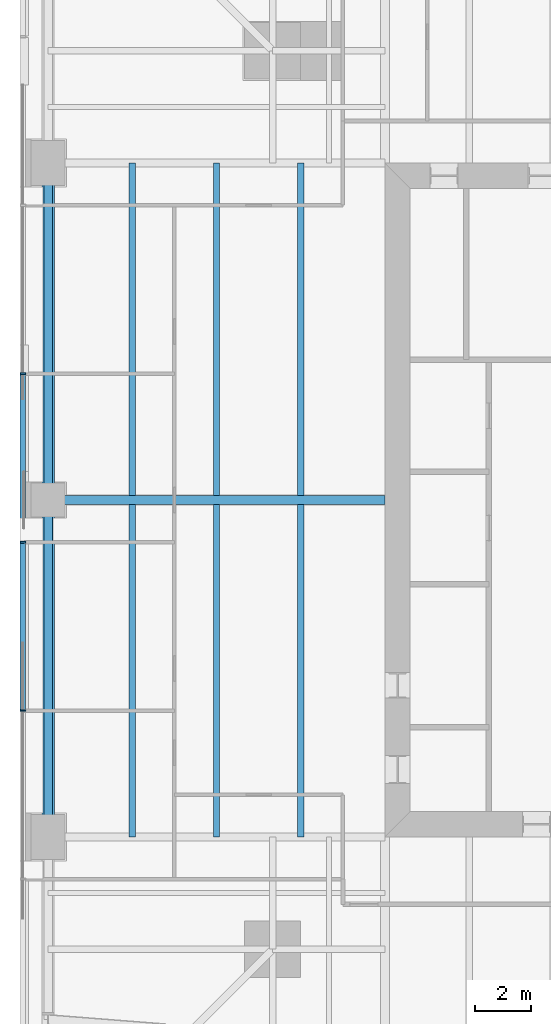
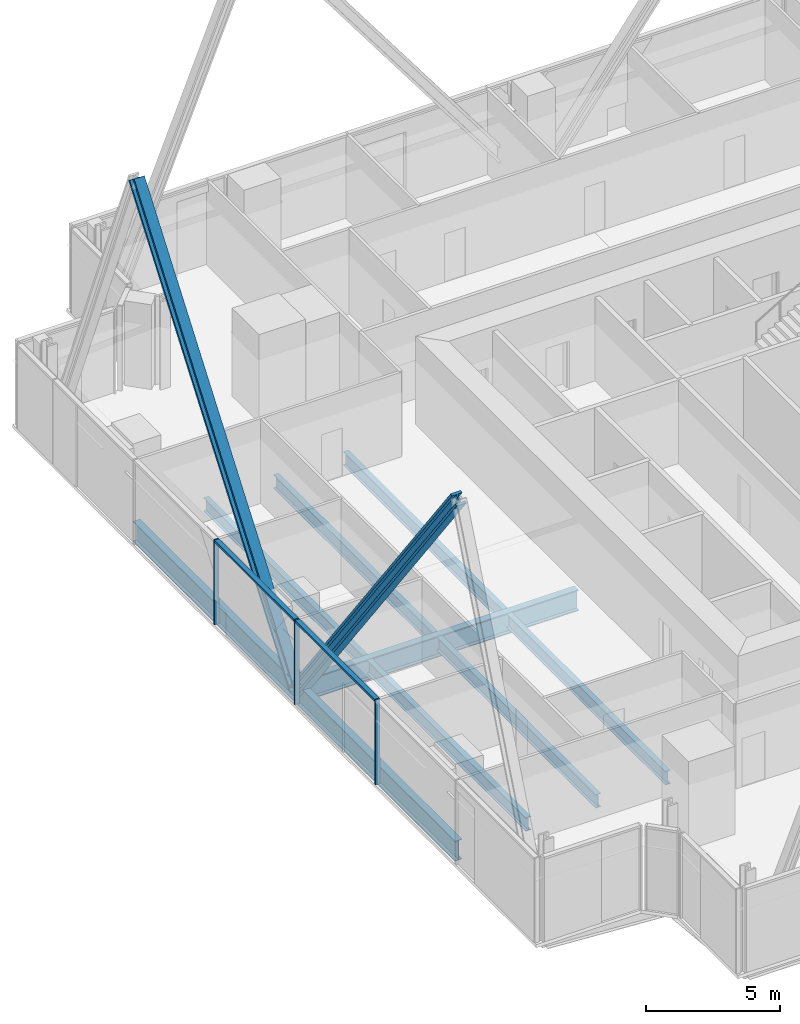
# One storey, part 4 of 14: 9 beams, 7 members, 1 element without a shape of its own.
"""IFC4 building model written with IfcOpenShell, lengths in metres."""

from ifc_helpers import new_model, si_unit, direction, frame, origin, origin_2d, place, context, subcontext, project, spatial, rectangle, i_section, extrude, material, material_profile, profile_set, type_object, element, aggregate, save


model = new_model("IFC4")

# Units and contexts
model_context = context("Model", 3, precision=1e-05, world=origin(), true_north=direction((0.0, 1.0)))
body_context = subcontext(model_context, "Body", "Model", "MODEL_VIEW")
ifc_project = project(units=[si_unit("LENGTHUNIT", "METRE"), si_unit("AREAUNIT", "SQUARE_METRE"), si_unit("VOLUMEUNIT", "CUBIC_METRE"), si_unit("PLANEANGLEUNIT", "RADIAN"), si_unit("MASSUNIT", "GRAM", prefix="KILO")], contexts=[model_context])

# Site, building, storey
site_placement = place(None, origin())
site = spatial("IfcSite", under=ifc_project, at=site_placement, CompositionType="ELEMENT")
building_placement = place(site_placement, origin())
building = spatial("IfcBuilding", under=site, at=building_placement, Name="Fenwick Lantern Interchange", CompositionType="ELEMENT")
storey_placement = place(building_placement, frame((0.0, 0.0, 185.800048828125)))
storey = spatial("IfcBuildingStorey", under=building, at=storey_placement, Name="L43", CompositionType="ELEMENT", Elevation=185.800048828125)

# Beams
ifc_material_1 = material(Name="Steel ASTM A992 Grade 50", Category="steel")
ifc_material_profile_1 = material_profile(ifc_material_1, i_section(OverallWidth=0.3046875, OverallDepth=0.911865234375, WebThickness=0.015869140625, FlangeThickness=0.02392578125, at=origin_2d()), Name="W36X150")
ifc_profile_set_1 = profile_set([ifc_material_profile_1], Name="Steel ASTM A992 Grade 50")
beam_type_1 = type_object("IfcBeamType", Name="EDGE BEAM W36X150", PredefinedType="SPANDREL", material=ifc_profile_set_1)
for number, where, z_axis, x_axis, name in (
    (1, (1.0, 37.0, -0.60595703125), (0.0, -1.0, 0.0), (1.0, 0.0, 0.0), "L43/FR/W/EB2"),
    (2, (1.0, 25.0, -0.60595703125), (0.0, -1.0, 0.0), (1.0, 0.0, 0.0), "L43/FR/W/EB3"),
):
    element("IfcBeam", number, at=place(storey_placement, frame(where, z_axis=z_axis, x_axis=x_axis)), inside=storey, type_object=beam_type_1, Name=name, PredefinedType="SPANDREL", context=body_context, shape_type="SweptSolid", body=[
        extrude(i_section(OverallWidth=0.3046875, OverallDepth=0.911865234375, WebThickness=0.015869140625, FlangeThickness=0.02392578125, at=origin_2d()), origin(), (0.0, 0.0, 1.0), 12.0),
    ])

# Members
ifc_material_profile_2 = material_profile(ifc_material_1, i_section(OverallWidth=0.44189453125, OverallDepth=0.53076171875, WebThickness=0.06591796875, FlangeThickness=0.105712890625, at=origin_2d()), Name="W14X605")
ifc_profile_set_2 = profile_set([ifc_material_profile_2], Name="Steel ASTM A992 Grade 50")
member_type_1 = type_object("IfcMemberType", Name="FACADE BRACE W14X605", PredefinedType="BRACE", material=ifc_profile_set_2)
for number, where, z_axis, x_axis, name in (
    (3, (1.0, 25.0, -0.60595703125), (0.0, 0.6, 0.8), (-1.0, 0.0, 0.0), "L43/FB/W/A"),
    (4, (1.0, 25.0, -0.60595703125), (0.0, -0.6, 0.8), (1.0, 0.0, 0.0), "L43/FB/W/B"),
):
    element("IfcMember", number, at=place(storey_placement, frame(where, z_axis=z_axis, x_axis=x_axis)), inside=storey, type_object=member_type_1, Name=name, PredefinedType="BRACE", context=body_context, shape_type="SweptSolid", body=[
        extrude(i_section(OverallWidth=0.44189453125, OverallDepth=0.53076171875, WebThickness=0.06591796875, FlangeThickness=0.105712890625, at=origin_2d()), origin(), (0.0, 0.0, 1.0), 20.0),
    ])

# Beams
ifc_material_profile_3 = material_profile(ifc_material_1, i_section(OverallWidth=0.22900390625, OverallDepth=0.612060546875, WebThickness=0.011962890625, FlangeThickness=0.01953125, at=origin_2d()), Name="W24X84")
ifc_profile_set_3 = profile_set([ifc_material_profile_3], Name="Steel ASTM A992 Grade 50")
beam_type_2 = type_object("IfcBeamType", Name="FLOOR BEAM W24X84", PredefinedType="BEAM", material=ifc_profile_set_3)
for number, where, z_axis, x_axis, name in (
    (5, (4.0, 37.0, -0.4560546875), (0.0, -1.0, 0.0), (1.0, 0.0, 0.0), "L43/FR/W/B01"),
    (6, (7.0, 37.0, -0.4560546875), (0.0, -1.0, 0.0), (1.0, 0.0, 0.0), "L43/FR/W/B02"),
    (7, (10.0, 37.0, -0.4560546875), (0.0, -1.0, 0.0), (1.0, 0.0, 0.0), "L43/FR/W/B03"),
    (8, (4.0, 24.844970703125, -0.4560546875), (0.0, -1.0, 0.0), (1.0, 0.0, 0.0), "L43/FR/W/B04"),
    (9, (7.0, 24.844970703125, -0.4560546875), (0.0, -1.0, 0.0), (1.0, 0.0, 0.0), "L43/FR/W/B05"),
    (10, (10.0, 24.844970703125, -0.4560546875), (0.0, -1.0, 0.0), (1.0, 0.0, 0.0), "L43/FR/W/B06"),
):
    element("IfcBeam", number, at=place(storey_placement, frame(where, z_axis=z_axis, x_axis=x_axis)), inside=storey, type_object=beam_type_2, Name=name, PredefinedType="BEAM", context=body_context, shape_type="SweptSolid", body=[
        extrude(i_section(OverallWidth=0.22900390625, OverallDepth=0.612060546875, WebThickness=0.011962890625, FlangeThickness=0.01953125, at=origin_2d()), origin(), (0.0, 0.0, 1.0), 11.844970703125),
    ])
ifc_material_profile_4 = material_profile(ifc_material_1, i_section(OverallWidth=0.309814453125, OverallDepth=0.949951171875, WebThickness=0.0244140625, FlangeThickness=0.0439453125, at=origin_2d()), Name="W36X256")
ifc_profile_set_4 = profile_set([ifc_material_profile_4], Name="Steel ASTM A992 Grade 50")
beam_type_3 = type_object("IfcBeamType", Name="MOMENT-CONNECTED GIRDER W36X256", PredefinedType="BEAM", material=ifc_profile_set_4)
beam_placement = place(storey_placement, frame((1.0, 25.0, -0.625), z_axis=(1.0, 0.0, 0.0), x_axis=(0.0, 1.0, 0.0)))
element("IfcBeam", 11, at=beam_placement, inside=storey, type_object=beam_type_3, Name="L43/FR/W/R02", PredefinedType="BEAM", context=body_context, shape_type="SweptSolid", body=[
    extrude(i_section(OverallWidth=0.309814453125, OverallDepth=0.949951171875, WebThickness=0.0244140625, FlangeThickness=0.0439453125, at=origin_2d()), origin(), (0.0, 0.0, 1.0), 12.0),
])

# Curtain wall, members
ifc_material_2 = material(Name="Aluminium curtain wall frame", Category="aluminium")
curtain_wall_type = type_object("IfcCurtainWallType", Name="OFFICE CURTAIN WALL", PredefinedType="USERDEFINED", material=ifc_material_2)
curtain_wall_placement = place(storey_placement, origin())
curtain_wall = element("IfcCurtainWall", 12, at=curtain_wall_placement, inside=storey, type_object=curtain_wall_type, Name="Office curtain wall 13", ObjectType="OFFICE CURTAIN WALL", PredefinedType="USERDEFINED")
ifc_material_3 = material(Name="Aluminium extrusion", Category="aluminium")
ifc_material_profile_5 = material_profile(ifc_material_3, rectangle(XDim=0.199951171875, YDim=0.06494140625, at=origin_2d()), Name="OFFICE CURTAIN WALL MULLION 65 X 200")
ifc_profile_set_5 = profile_set([ifc_material_profile_5], Name="Aluminium extrusion")
member_type_2 = type_object("IfcMemberType", Name="OFFICE CURTAIN WALL MULLION 65 X 200", PredefinedType="MULLION", material=ifc_profile_set_5)
member_1_placement = place(storey_placement, frame((0.10009765625, 29.5, 0.0), z_axis=(0.0, 0.0, 1.0), x_axis=(1.0, 0.0, 0.0)))
member_1 = element("IfcMember", 13, at=member_1_placement, type_object=member_type_2, Name="L43/CW/13/M03", PredefinedType="MULLION", context=body_context, shape_type="SweptSolid", body=[
    extrude(rectangle(XDim=0.199951171875, YDim=0.06494140625, at=origin_2d()), origin(), (0.0, 0.0, 1.0), 3.849853515625),
])
member_2_placement = place(storey_placement, frame((0.10009765625, 23.5, 0.0), z_axis=(0.0, 0.0, 1.0), x_axis=(1.0, 0.0, 0.0)))
member_2 = element("IfcMember", 14, at=member_2_placement, type_object=member_type_2, Name="L43/CW/13/M04", PredefinedType="MULLION", context=body_context, shape_type="SweptSolid", body=[
    extrude(rectangle(XDim=0.199951171875, YDim=0.06494140625, at=origin_2d()), origin(), (0.0, 0.0, 1.0), 3.849853515625),
])
member_3_placement = place(storey_placement, frame((0.10009765625, 17.5, 0.0), z_axis=(0.0, 0.0, 1.0), x_axis=(1.0, 0.0, 0.0)))
member_3 = element("IfcMember", 15, at=member_3_placement, type_object=member_type_2, Name="L43/CW/13/M05", PredefinedType="MULLION", context=body_context, shape_type="SweptSolid", body=[
    extrude(rectangle(XDim=0.199951171875, YDim=0.06494140625, at=origin_2d()), origin(), (0.0, 0.0, 1.0), 3.849853515625),
])
ifc_material_profile_6 = material_profile(ifc_material_3, rectangle(XDim=0.199951171875, YDim=0.10009765625, at=origin_2d()), Name="OFFICE CURTAIN WALL TRANSOM 100 X 200")
ifc_profile_set_6 = profile_set([ifc_material_profile_6], Name="Aluminium extrusion")
member_type_3 = type_object("IfcMemberType", Name="OFFICE CURTAIN WALL TRANSOM 100 X 200", PredefinedType="MULLION", material=ifc_profile_set_6)
member_4_placement = place(storey_placement, frame((0.10009765625, 29.467529296875, 3.800048828125), z_axis=(0.0, -1.0, 0.0), x_axis=(1.0, 0.0, 0.0)))
member_4 = element("IfcMember", 16, at=member_4_placement, type_object=member_type_3, Name="L43/CW/13/T03", PredefinedType="MULLION", context=body_context, shape_type="SweptSolid", body=[
    extrude(rectangle(XDim=0.199951171875, YDim=0.10009765625, at=origin_2d()), origin(), (0.0, 0.0, 1.0), 5.93505859375),
])
member_5_placement = place(storey_placement, frame((0.10009765625, 23.467529296875, 3.800048828125), z_axis=(0.0, -1.0, 0.0), x_axis=(1.0, 0.0, 0.0)))
member_5 = element("IfcMember", 17, at=member_5_placement, type_object=member_type_3, Name="L43/CW/13/T04", PredefinedType="MULLION", context=body_context, shape_type="SweptSolid", body=[
    extrude(rectangle(XDim=0.199951171875, YDim=0.10009765625, at=origin_2d()), origin(), (0.0, 0.0, 1.0), 5.93505859375),
])
aggregate(curtain_wall, [member_1, member_2, member_3, member_4, member_5])

save(model, "model.ifc")
